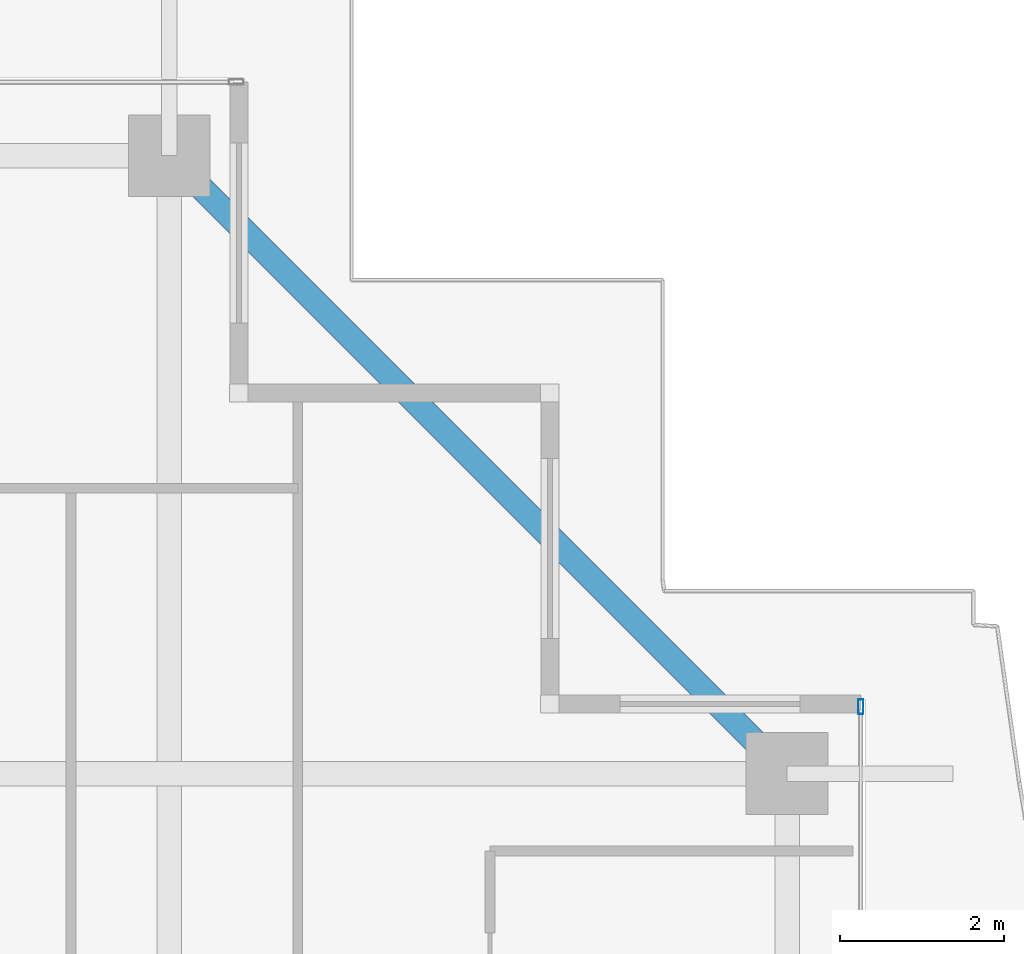
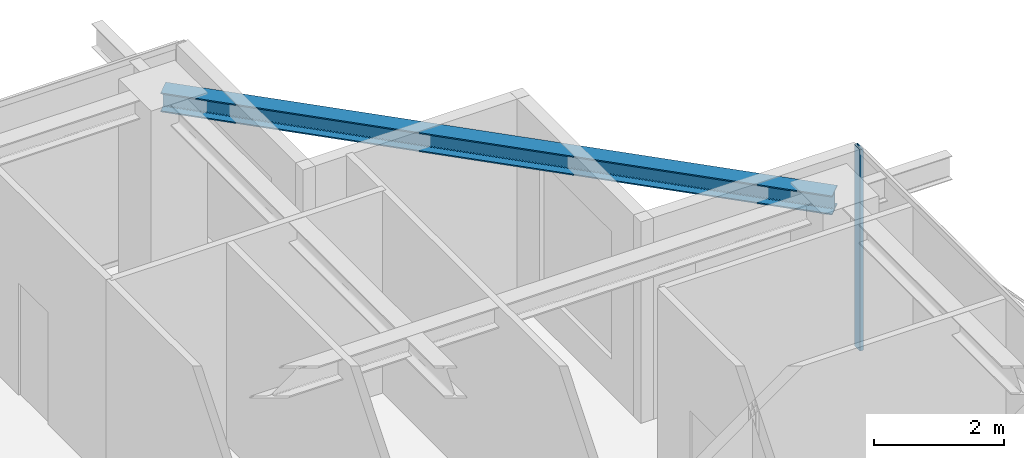
# One storey, part 27 of 41: 1 beam, 1 member, 1 element without a shape of its own.
"""IFC4 building model written with IfcOpenShell, lengths in metres."""

from ifc_helpers import new_model, si_unit, direction, frame, origin, origin_2d, place, context, subcontext, project, spatial, hollow_rectangle, i_section, extrude, source, transform, mapped, material, layer, layer_set, material_profile, profile_set, type_object, element, aggregate, save


model = new_model("IFC4")

# Units and contexts
model_context = context("Model", 3, precision=1e-05, world=origin(), true_north=direction((0.0, 1.0)))
body_context = subcontext(model_context, "Body", "Model", "MODEL_VIEW")
ifc_project = project(units=[si_unit("LENGTHUNIT", "METRE"), si_unit("AREAUNIT", "SQUARE_METRE"), si_unit("VOLUMEUNIT", "CUBIC_METRE"), si_unit("PLANEANGLEUNIT", "RADIAN"), si_unit("MASSUNIT", "GRAM", prefix="KILO")], contexts=[model_context])

# Site, building, storey
site_placement = place(None, origin())
site = spatial("IfcSite", under=ifc_project, at=site_placement, CompositionType="ELEMENT")
building_placement = place(site_placement, origin())
building = spatial("IfcBuilding", under=site, at=building_placement, Name="Serunith Strait Residences", CompositionType="ELEMENT")
storey_placement = place(building_placement, frame((0.0, 0.0, 301.550048828125)))
storey = spatial("IfcBuildingStorey", under=building, at=storey_placement, Name="L75", CompositionType="ELEMENT", Elevation=301.550048828125)

# Beam
ifc_material_1 = material(Name="Steel S355J2", Category="steel")
ifc_material_profile_1 = material_profile(ifc_material_1, i_section(OverallWidth=0.300048828125, OverallDepth=0.360107421875, WebThickness=0.012451171875, FlangeThickness=0.0224609375, FilletRadius=0.027099609375, at=origin_2d()), Name="HEB 360")
ifc_profile_set_1 = profile_set([ifc_material_profile_1], Name="Steel S355J2")
beam_type = type_object("IfcBeamType", Name="BM-HEB360", PredefinedType="BEAM", material=ifc_profile_set_1)
shared_shape_1 = source(origin(), body_context, "Body", "SweptSolid", [
    extrude(i_section(OverallWidth=0.300048828125, OverallDepth=0.360107421875, WebThickness=0.012451171875, FlangeThickness=0.0224609375, FilletRadius=0.027099609375, at=origin_2d()), origin(), (0.0, 0.0, 1.0), 10.677490234375),
])
beam_placement = place(storey_placement, frame((54.699951171875, 39.550048828125, 3.576904296875), z_axis=(-0.707106781187, 0.707106781187, 0.0), x_axis=(-0.707106781187, -0.707106781187, 0.0)))
element("IfcBeam", 1, at=beam_placement, inside=storey, type_object=beam_type, Name="L75 Perimeter Ring Beam 08", PredefinedType="BEAM", context=body_context, shape_type="MappedRepresentation", body=[
    mapped(shared_shape_1, transform((0.0, 0.0, 0.0), scale=1.0)),
])

# Curtain wall, member
ifc_material_2 = material(Name="Brushed Stainless-Silver Aluminium", Category="aluminium")
ifc_layer = layer(ifc_material_2, 0.199951171875, Name="Brushed Stainless-Silver Aluminium")
ifc_layer_set = layer_set([ifc_layer], Name="Brushed Stainless-Silver Aluminium")
curtain_wall_type = type_object("IfcCurtainWallType", Name="CW-SYS5", PredefinedType="NOTDEFINED", material=ifc_layer_set)
curtain_wall_placement = place(storey_placement, origin())
curtain_wall = element("IfcCurtainWall", 2, at=curtain_wall_placement, inside=storey, type_object=curtain_wall_type, Name="L75 E Unitised Fritted Curtain Wall", PredefinedType="NOTDEFINED")
ifc_material_profile_2 = material_profile(ifc_material_2, hollow_rectangle(XDim=0.06494140625, YDim=0.179931640625, WallThickness=0.00341796875, InnerFilletRadius=0.00537109375, OuterFilletRadius=0.0087890625, at=origin_2d()), Name="ALU 180x65x3.5")
ifc_profile_set_2 = profile_set([ifc_material_profile_2], Name="Brushed Stainless-Silver Aluminium")
member_type = type_object("IfcMemberType", Name="CW-SYS5-MULL", PredefinedType="MULLION", material=ifc_profile_set_2)
shared_shape_2 = source(origin(), body_context, "Body", "SweptSolid", [
    extrude(hollow_rectangle(XDim=0.06494140625, YDim=0.179931640625, WallThickness=0.00341796875, InnerFilletRadius=0.00537109375, OuterFilletRadius=0.0087890625, at=origin_2d()), origin(), (0.0, 0.0, 1.0), 3.77490234375),
])
member_placement = place(storey_placement, frame((55.60009765625, 40.367431640625, 0.0), z_axis=(0.0, 0.0, 1.0), x_axis=(-1.0, 0.0, 0.0)))
member = element("IfcMember", 3, at=member_placement, type_object=member_type, Name="CW-5 mullion 3", PredefinedType="MULLION", context=body_context, shape_type="MappedRepresentation", body=[
    mapped(shared_shape_2, transform((0.0, 0.0, 0.0), scale=1.0)),
])
aggregate(curtain_wall, [member])

save(model, "model.ifc")
